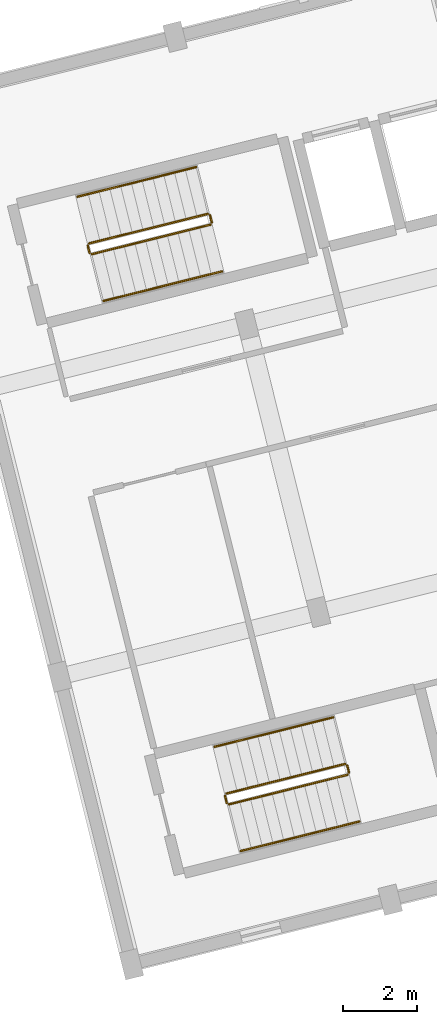
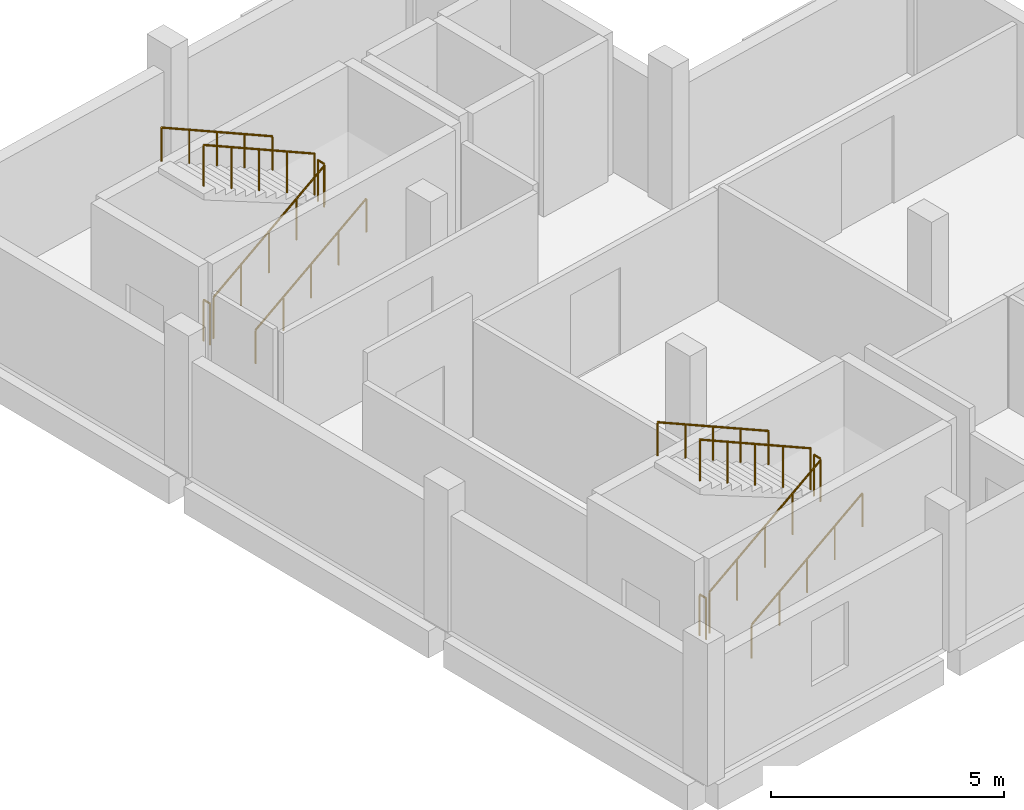
# One storey, part 8 of 8: 12 railings.
"""IFC4 building model written with IfcOpenShell, lengths in metres."""

import ifcopenshell
import ifcopenshell.guid

model = None  # the IFC model being written
_history = None  # IfcOwnerHistory: only IFC2X3 demands one
_inside = {}  # id of a spatial element -> (the spatial element, [elements in it])
_under = {}  # id of a project, library or spatial element -> (it, [spatial elements below it])
_declared = {}  # id of a project -> (the project, [libraries it declares])
_typed = {}  # id of a type object -> (the type object, [elements of that type])
_made_of = {}  # id of a material, layer set ... -> (it, [elements and type objects made of it])


def new_model(schema):
    """Start an empty IFC model of exactly this schema.

    Asked for "IFC4X3", IfcOpenShell would pick the latest addendum, in which some entities
    have other attributes; the version numbers below select the first issue.
    IFC2X3 requires an IfcOwnerHistory on every rooted entity: one is made here for all.
    """
    global model, _history
    if schema == "IFC4X3":
        model = ifcopenshell.file(schema_version=(4, 3, 0, 0))
    else:
        model = ifcopenshell.file(schema=schema)
    _inside.clear()
    _under.clear()
    _declared.clear()
    _typed.clear()
    _made_of.clear()
    _history = None
    if model.schema == "IFC2X3":
        org = make("IfcOrganization", Name="unknown")
        user = make(
            "IfcPersonAndOrganization",
            ThePerson=make("IfcPerson", FamilyName="unknown"),
            TheOrganization=org,
        )
        app = make(
            "IfcApplication",
            ApplicationDeveloper=org,
            Version="unknown",
            ApplicationFullName="unknown",
            ApplicationIdentifier="unknown",
        )
        _history = make(
            "IfcOwnerHistory",
            OwningUser=user,
            OwningApplication=app,
            ChangeAction="ADDED",
            CreationDate=0,
        )
    return model


def make(cls, **values):
    """One entity of the class cls with the attributes given. An attribute that is None is left unset."""
    return model.create_entity(
        cls, **{name: value for name, value in values.items() if value is not None}
    )


def rooted(cls, **values):
    """An entity with a GlobalId (a new one), such as an element, a storey or a relation."""
    return make(cls, GlobalId=ifcopenshell.guid.new(), OwnerHistory=_history, **values)


def si_unit(unit_type, name, prefix=None):
    """IfcSIUnit, for example si_unit("LENGTHUNIT", "METRE", prefix="MILLI")."""
    return make("IfcSIUnit", UnitType=unit_type, Prefix=prefix, Name=name)


def assignment(units):
    """IfcUnitAssignment: the units of a project."""
    return None if units is None else make("IfcUnitAssignment", Units=units)


def point(xyz):
    """IfcCartesianPoint."""
    return None if xyz is None else make("IfcCartesianPoint", Coordinates=xyz)


def direction(xyz):
    """IfcDirection."""
    return None if xyz is None else make("IfcDirection", DirectionRatios=xyz)


def frame(location, z_axis=None, x_axis=None):
    """IfcAxis2Placement3D, a coordinate frame: its origin and axes. An axis left out is left unset."""
    return make(
        "IfcAxis2Placement3D",
        Location=point(location),
        Axis=direction(z_axis),
        RefDirection=direction(x_axis),
    )


def frame_2d(location, x_axis=None):
    """IfcAxis2Placement2D, a coordinate frame in the plane: its origin and x axis."""
    return make(
        "IfcAxis2Placement2D", Location=point(location), RefDirection=direction(x_axis)
    )


def origin():
    """The frame at (0, 0, 0) with its axes left unset."""
    return frame((0.0, 0.0, 0.0))


def origin_2d():
    """The frame at (0, 0) in the plane with its x axis left unset."""
    return frame_2d((0.0, 0.0))


def place(relative_to, where):
    """IfcLocalPlacement: puts the frame where relative to a parent placement (None: the world)."""
    return make(
        "IfcLocalPlacement", PlacementRelTo=relative_to, RelativePlacement=where
    )


def context(
    kind, dimensions, precision=None, world=None, true_north=None, identifier=None
):
    """IfcGeometricRepresentationContext, for example the 3D "Model" context."""
    return make(
        "IfcGeometricRepresentationContext",
        ContextIdentifier=identifier,
        ContextType=kind,
        CoordinateSpaceDimension=dimensions,
        Precision=precision,
        WorldCoordinateSystem=world,
        TrueNorth=true_north,
    )


def subcontext(parent, identifier, kind, view, scale=None):
    """IfcGeometricRepresentationSubContext, for example "Body" below "Model"."""
    return make(
        "IfcGeometricRepresentationSubContext",
        ContextIdentifier=identifier,
        ContextType=kind,
        ParentContext=parent,
        TargetScale=scale,
        TargetView=view,
    )


def project(units=None, contexts=None):
    """IfcProject with its units and contexts."""
    return rooted(
        "IfcProject",
        Name="project",
        RepresentationContexts=contexts,
        UnitsInContext=assignment(units),
    )


def spatial(cls, under=None, at=None, **own):
    """A site, building, storey or space (cls), placed at a placement, below another one or the project."""
    s = rooted(cls, ObjectPlacement=at, **own)
    if under is not None:
        _under.setdefault(under.id(), (under, []))[1].append(s)
    return s


def profile(cls, at=None, kind="AREA", **sizes):
    """A parametric profile (cls). Its sizes go by their IFC names, for example OverallWidth=200.0."""
    return make(cls, ProfileType=kind, Position=at, **sizes)


def circle(**sizes):
    """IfcCircleProfileDef."""
    return profile("IfcCircleProfileDef", **sizes)


def extrude(swept, where, along, depth):
    """IfcExtrudedAreaSolid: the profile swept, set in the frame where, extruded along a direction by depth."""
    return make(
        "IfcExtrudedAreaSolid",
        SweptArea=swept,
        Position=where,
        ExtrudedDirection=direction(along),
        Depth=depth,
    )


def shape(context_of_items, identifier, shape_type, items):
    """IfcShapeRepresentation: the items that make up one representation, for example the "Body"."""
    return make(
        "IfcShapeRepresentation",
        ContextOfItems=context_of_items,
        RepresentationIdentifier=identifier,
        RepresentationType=shape_type,
        Items=items,
    )


def material(Name=None, Category=None):
    """IfcMaterial."""
    return make("IfcMaterial", Name=Name, Category=Category)


def made_of(thing, what):
    """Note that an element or type object is made of a material, layer set ...; save() writes the relation."""
    if what is not None:
        _made_of.setdefault(what.id(), (what, []))[1].append(thing)
    return thing


def type_object(cls, material=None, **own):
    """A type object (cls), such as IfcWallType, which elements share."""
    return made_of(rooted(cls, **own), material)


def element(
    cls,
    number,
    at=None,
    inside=None,
    cuts=None,
    type_object=None,
    material=None,
    context=None,
    identifier="Body",
    shape_type=None,
    held_by="IfcProductDefinitionShape",
    body=None,
    shapes=None,
    **own,
):
    """One element of the class cls, such as IfcWall. Its Tag is "e" and its number.

    at: its placement. inside: the storey or other place that contains it. cuts: it is an
    opening in that element (IfcRelVoidsElement). A single representation is given by context,
    identifier, shape_type and body (its items); several are given by shapes. held_by: the class
    of the entity that holds the representations. save() writes the other relations.
    """
    e = rooted(cls, Tag="e%d" % number, ObjectPlacement=at, **own)
    if body is not None:
        shapes = [shape(context, identifier, shape_type, body)]
    if shapes is not None:
        e.Representation = make(held_by, Representations=shapes)
    if inside is not None:
        _inside.setdefault(inside.id(), (inside, []))[1].append(e)
    if cuts is not None:
        rooted(
            "IfcRelVoidsElement", RelatingBuildingElement=cuts, RelatedOpeningElement=e
        )
    if type_object is not None:
        _typed.setdefault(type_object.id(), (type_object, []))[1].append(e)
    return made_of(e, material)


def aggregate(whole, parts):
    """IfcRelAggregates: a whole, such as a stair, and the parts it consists of."""
    return rooted("IfcRelAggregates", RelatingObject=whole, RelatedObjects=parts)


def save(model, path):
    """Write the relations noted so far, then the file.

    IfcRelAggregates (storeys below a building ...), IfcRelContainedInSpatialStructure (elements
    in a storey), IfcRelDefinesByType, IfcRelAssociatesMaterial and IfcRelDeclares: one each for
    every whole, place, type object, material and project.
    """
    for whole, parts in _under.values():
        aggregate(whole, parts)
    for where, things in _inside.values():
        rooted(
            "IfcRelContainedInSpatialStructure",
            RelatedElements=things,
            RelatingStructure=where,
        )
    for kind, things in _typed.values():
        rooted("IfcRelDefinesByType", RelatedObjects=things, RelatingType=kind)
    for what, things in _made_of.values():
        rooted("IfcRelAssociatesMaterial", RelatedObjects=things, RelatingMaterial=what)
    for by, libraries in _declared.values():
        rooted("IfcRelDeclares", RelatingContext=by, RelatedDefinitions=libraries)
    model.write(path)


model = new_model("IFC4")

# Units and contexts
model_context = context("Model", 3, precision=1e-05, world=origin(), true_north=direction((0.0, 1.0)))
body_context = subcontext(model_context, "Body", "Model", "MODEL_VIEW")
ifc_project = project(units=[si_unit("LENGTHUNIT", "METRE"), si_unit("AREAUNIT", "SQUARE_METRE"), si_unit("VOLUMEUNIT", "CUBIC_METRE"), si_unit("PLANEANGLEUNIT", "RADIAN"), si_unit("MASSUNIT", "GRAM", prefix="KILO")], contexts=[model_context])

# Site, building, storey
site_placement = place(None, origin())
site = spatial("IfcSite", under=ifc_project, at=site_placement, CompositionType="ELEMENT")
building_placement = place(site_placement, origin())
building = spatial("IfcBuilding", under=site, at=building_placement, Name="Mawjan Specialist Oncology Clinic", CompositionType="ELEMENT")
storey_placement = place(building_placement, frame((0.0, 0.0, 21.5)))
storey = spatial("IfcBuildingStorey", under=building, at=storey_placement, Name="L05", CompositionType="ELEMENT", Elevation=21.5)

# Railings
ifc_material_1 = material(Name="Powder-coated steel stair guard with vertical infill pickets", Category="steel")
railing_type_1 = type_object("IfcRailingType", Name="GR-110", PredefinedType="GUARDRAIL", material=ifc_material_1)
railing_1_placement = place(storey_placement, frame((124.932861328125, 19.9609375, 0.166748046875)))
element("IfcRailing", 1, at=railing_1_placement, inside=storey, type_object=railing_type_1, Name="L05 ST-05 stair guard 1", PredefinedType="GUARDRAIL", context=body_context, shape_type="SweptSolid", body=[
    extrude(circle(Radius=0.02392578125, at=origin_2d()), frame((0.0, 0.0, 1.076171875), z_axis=(0.848194742127, 0.211482791213, 0.485634336152), x_axis=(-0.24192630068, 0.970294627956, 0.0)), (0.0, 0.0, 1.0), 3.77490234375),
    extrude(circle(Radius=0.02099609375, at=origin_2d()), origin(), (0.0, 0.0, 1.0), 1.052001953125),
    extrude(circle(Radius=0.02099609375, at=origin_2d()), frame((0.800537109375, 0.19970703125, 0.458251953125)), (0.0, 0.0, 1.0), 1.052001953125),
    extrude(circle(Radius=0.02099609375, at=origin_2d()), frame((1.60107421875, 0.399169921875, 0.91650390625)), (0.0, 0.0, 1.0), 1.052001953125),
    extrude(circle(Radius=0.02099609375, at=origin_2d()), frame((2.4013671875, 0.5986328125, 1.375)), (0.0, 0.0, 1.0), 1.052001953125),
    extrude(circle(Radius=0.02099609375, at=origin_2d()), frame((3.201904296875, 0.79833984375, 1.833251953125)), (0.0, 0.0, 1.0), 1.052001953125),
])
railing_2_placement = place(storey_placement, frame((128.171142578125, 20.81982421875, 2.0)))
element("IfcRailing", 2, at=railing_2_placement, inside=storey, type_object=railing_type_1, Name="L05 ST-05 stair guard 2", PredefinedType="GUARDRAIL", context=body_context, shape_type="SweptSolid", body=[
    extrude(circle(Radius=0.02392578125, at=origin_2d()), frame((0.0, 0.0, 1.076171875), z_axis=(-0.241673946692, 0.970357513234, 0.0), x_axis=(-0.970357513234, -0.241673946692, 0.0)), (0.0, 0.0, 1.0), 0.199951171875),
    extrude(circle(Radius=0.02099609375, at=origin_2d()), origin(), (0.0, 0.0, 1.0), 1.052001953125),
    extrude(circle(Radius=0.02099609375, at=origin_2d()), frame((-0.04833984375, 0.194091796875, 0.0)), (0.0, 0.0, 1.0), 1.052001953125),
])
railing_3_placement = place(storey_placement, frame((128.062255859375, 21.050537109375, 2.166748046875)))
element("IfcRailing", 3, at=railing_3_placement, inside=storey, type_object=railing_type_1, Name="L05 ST-05 stair guard 3", PredefinedType="GUARDRAIL", context=body_context, shape_type="SweptSolid", body=[
    extrude(circle(Radius=0.02392578125, at=origin_2d()), frame((0.0, 0.0, 1.076171875), z_axis=(-0.848194742127, -0.211482791213, 0.485634336152), x_axis=(0.24192630068, -0.970294627956, 0.0)), (0.0, 0.0, 1.0), 3.77490234375),
    extrude(circle(Radius=0.02099609375, at=origin_2d()), origin(), (0.0, 0.0, 1.0), 1.052001953125),
    extrude(circle(Radius=0.02099609375, at=origin_2d()), frame((-0.800537109375, -0.19970703125, 0.458251953125)), (0.0, 0.0, 1.0), 1.052001953125),
    extrude(circle(Radius=0.02099609375, at=origin_2d()), frame((-1.60107421875, -0.399169921875, 0.91650390625)), (0.0, 0.0, 1.0), 1.052001953125),
    extrude(circle(Radius=0.02099609375, at=origin_2d()), frame((-2.4013671875, -0.5986328125, 1.375)), (0.0, 0.0, 1.0), 1.052001953125),
    extrude(circle(Radius=0.02099609375, at=origin_2d()), frame((-3.201904296875, -0.79833984375, 1.833251953125)), (0.0, 0.0, 1.0), 1.052001953125),
])
railing_4_placement = place(storey_placement, frame((124.872314453125, 19.997314453125, 0.0)))
element("IfcRailing", 4, at=railing_4_placement, inside=storey, type_object=railing_type_1, Name="L05 ST-05 stair guard 4", PredefinedType="GUARDRAIL", context=body_context, shape_type="SweptSolid", body=[
    extrude(circle(Radius=0.02392578125, at=origin_2d()), frame((0.0, 0.0, 1.076171875), z_axis=(-0.242822723755, 0.970070680326, 0.0), x_axis=(-0.970070680326, -0.242822723755, 0.0)), (0.0, 0.0, 1.0), 0.2001953125),
    extrude(circle(Radius=0.02099609375, at=origin_2d()), origin(), (0.0, 0.0, 1.0), 1.052001953125),
    extrude(circle(Radius=0.02099609375, at=origin_2d()), frame((-0.048583984375, 0.194091796875, 0.0)), (0.0, 0.0, 1.0), 1.052001953125),
])
railing_5_placement = place(storey_placement, frame((128.63427734375, 5.115478515625, 0.166748046875)))
element("IfcRailing", 5, at=railing_5_placement, inside=storey, type_object=railing_type_1, Name="L05 ST-06 stair guard 1", PredefinedType="GUARDRAIL", context=body_context, shape_type="SweptSolid", body=[
    extrude(circle(Radius=0.02392578125, at=origin_2d()), frame((0.0, 0.0, 1.076171875), z_axis=(0.848194742127, 0.211482791213, 0.485634336152), x_axis=(-0.24192630068, 0.970294627956, 0.0)), (0.0, 0.0, 1.0), 3.77490234375),
    extrude(circle(Radius=0.02099609375, at=origin_2d()), origin(), (0.0, 0.0, 1.0), 1.052001953125),
    extrude(circle(Radius=0.02099609375, at=origin_2d()), frame((0.800537109375, 0.19970703125, 0.458251953125)), (0.0, 0.0, 1.0), 1.052001953125),
    extrude(circle(Radius=0.02099609375, at=origin_2d()), frame((1.60107421875, 0.399169921875, 0.91650390625)), (0.0, 0.0, 1.0), 1.052001953125),
    extrude(circle(Radius=0.02099609375, at=origin_2d()), frame((2.4013671875, 0.5986328125, 1.375)), (0.0, 0.0, 1.0), 1.052001953125),
    extrude(circle(Radius=0.02099609375, at=origin_2d()), frame((3.201904296875, 0.79833984375, 1.833251953125)), (0.0, 0.0, 1.0), 1.052001953125),
])
railing_6_placement = place(storey_placement, frame((131.87255859375, 5.974365234375, 2.0)))
element("IfcRailing", 6, at=railing_6_placement, inside=storey, type_object=railing_type_1, Name="L05 ST-06 stair guard 2", PredefinedType="GUARDRAIL", context=body_context, shape_type="SweptSolid", body=[
    extrude(circle(Radius=0.02392578125, at=origin_2d()), frame((0.0, 0.0, 1.076171875), z_axis=(-0.241673946692, 0.970357513234, 0.0), x_axis=(-0.970357513234, -0.241673946692, 0.0)), (0.0, 0.0, 1.0), 0.199951171875),
    extrude(circle(Radius=0.02099609375, at=origin_2d()), origin(), (0.0, 0.0, 1.0), 1.052001953125),
    extrude(circle(Radius=0.02099609375, at=origin_2d()), frame((-0.04833984375, 0.194091796875, 0.0)), (0.0, 0.0, 1.0), 1.052001953125),
])
railing_7_placement = place(storey_placement, frame((131.763671875, 6.204833984375, 2.166748046875)))
element("IfcRailing", 7, at=railing_7_placement, inside=storey, type_object=railing_type_1, Name="L05 ST-06 stair guard 3", PredefinedType="GUARDRAIL", context=body_context, shape_type="SweptSolid", body=[
    extrude(circle(Radius=0.02392578125, at=origin_2d()), frame((0.0, 0.0, 1.076171875), z_axis=(-0.848194742127, -0.211482791213, 0.485634336152), x_axis=(0.24192630068, -0.970294627956, 0.0)), (0.0, 0.0, 1.0), 3.77490234375),
    extrude(circle(Radius=0.02099609375, at=origin_2d()), origin(), (0.0, 0.0, 1.0), 1.052001953125),
    extrude(circle(Radius=0.02099609375, at=origin_2d()), frame((-0.800537109375, -0.19970703125, 0.458251953125)), (0.0, 0.0, 1.0), 1.052001953125),
    extrude(circle(Radius=0.02099609375, at=origin_2d()), frame((-1.60107421875, -0.399169921875, 0.91650390625)), (0.0, 0.0, 1.0), 1.052001953125),
    extrude(circle(Radius=0.02099609375, at=origin_2d()), frame((-2.4013671875, -0.5986328125, 1.375)), (0.0, 0.0, 1.0), 1.052001953125),
    extrude(circle(Radius=0.02099609375, at=origin_2d()), frame((-3.201904296875, -0.79833984375, 1.833251953125)), (0.0, 0.0, 1.0), 1.052001953125),
])
railing_8_placement = place(storey_placement, frame((128.57373046875, 5.15185546875, 0.0)))
element("IfcRailing", 8, at=railing_8_placement, inside=storey, type_object=railing_type_1, Name="L05 ST-06 stair guard 4", PredefinedType="GUARDRAIL", context=body_context, shape_type="SweptSolid", body=[
    extrude(circle(Radius=0.02392578125, at=origin_2d()), frame((0.0, 0.0, 1.076171875), z_axis=(-0.242822723755, 0.970070680326, 0.0), x_axis=(-0.970070680326, -0.242822723755, 0.0)), (0.0, 0.0, 1.0), 0.2001953125),
    extrude(circle(Radius=0.02099609375, at=origin_2d()), origin(), (0.0, 0.0, 1.0), 1.052001953125),
    extrude(circle(Radius=0.02099609375, at=origin_2d()), frame((-0.048583984375, 0.194091796875, 0.0)), (0.0, 0.0, 1.0), 1.052001953125),
])
ifc_material_2 = material(Name="Brushed stainless-steel tubular handrail", Category="steel")
railing_type_2 = type_object("IfcRailingType", Name="HR-090", PredefinedType="HANDRAIL", material=ifc_material_2)
railing_9_placement = place(storey_placement, frame((125.247314453125, 18.69970703125, 0.166748046875)))
element("IfcRailing", 9, at=railing_9_placement, inside=storey, type_object=railing_type_2, Name="L05 ST-05 stair handrail 1", PredefinedType="HANDRAIL", context=body_context, shape_type="SweptSolid", body=[
    extrude(circle(Radius=0.02392578125, at=origin_2d()), frame((0.0, 0.0, 0.8759765625), z_axis=(0.848194742127, 0.211482791213, 0.485634336152), x_axis=(-0.24192630068, 0.970294627956, 0.0)), (0.0, 0.0, 1.0), 3.77490234375),
    extrude(circle(Radius=0.02099609375, at=origin_2d()), origin(), (0.0, 0.0, 1.0), 0.851806640625),
    extrude(circle(Radius=0.02099609375, at=origin_2d()), frame((0.800537109375, 0.19970703125, 0.458251953125)), (0.0, 0.0, 1.0), 0.851806640625),
    extrude(circle(Radius=0.02099609375, at=origin_2d()), frame((1.60107421875, 0.399169921875, 0.91650390625)), (0.0, 0.0, 1.0), 0.851806640625),
    extrude(circle(Radius=0.02099609375, at=origin_2d()), frame((2.4013671875, 0.5986328125, 1.375)), (0.0, 0.0, 1.0), 0.851806640625),
    extrude(circle(Radius=0.02099609375, at=origin_2d()), frame((3.201904296875, 0.79833984375, 1.833251953125)), (0.0, 0.0, 1.0), 0.851806640625),
])
railing_10_placement = place(storey_placement, frame((127.747802734375, 22.311767578125, 2.166748046875)))
element("IfcRailing", 10, at=railing_10_placement, inside=storey, type_object=railing_type_2, Name="L05 ST-05 stair handrail 2", PredefinedType="HANDRAIL", context=body_context, shape_type="SweptSolid", body=[
    extrude(circle(Radius=0.02392578125, at=origin_2d()), frame((0.0, 0.0, 0.8759765625), z_axis=(-0.848212885837, -0.211471190659, 0.485607697449), x_axis=(0.241908934998, -0.970298957625, 0.0)), (0.0, 0.0, 1.0), 3.775146484375),
    extrude(circle(Radius=0.02099609375, at=origin_2d()), origin(), (0.0, 0.0, 1.0), 0.851806640625),
    extrude(circle(Radius=0.02099609375, at=origin_2d()), frame((-0.800537109375, -0.19970703125, 0.458251953125)), (0.0, 0.0, 1.0), 0.851806640625),
    extrude(circle(Radius=0.02099609375, at=origin_2d()), frame((-1.60107421875, -0.399169921875, 0.91650390625)), (0.0, 0.0, 1.0), 0.851806640625),
    extrude(circle(Radius=0.02099609375, at=origin_2d()), frame((-2.401611328125, -0.5986328125, 1.375)), (0.0, 0.0, 1.0), 0.851806640625),
    extrude(circle(Radius=0.02099609375, at=origin_2d()), frame((-3.2021484375, -0.79833984375, 1.833251953125)), (0.0, 0.0, 1.0), 0.851806640625),
])
railing_11_placement = place(storey_placement, frame((128.94873046875, 3.85400390625, 0.166748046875)))
element("IfcRailing", 11, at=railing_11_placement, inside=storey, type_object=railing_type_2, Name="L05 ST-06 stair handrail 1", PredefinedType="HANDRAIL", context=body_context, shape_type="SweptSolid", body=[
    extrude(circle(Radius=0.02392578125, at=origin_2d()), frame((0.0, 0.0, 0.8759765625), z_axis=(0.848194742127, 0.211482791213, 0.485634336152), x_axis=(-0.24192630068, 0.970294627956, 0.0)), (0.0, 0.0, 1.0), 3.77490234375),
    extrude(circle(Radius=0.02099609375, at=origin_2d()), origin(), (0.0, 0.0, 1.0), 0.851806640625),
    extrude(circle(Radius=0.02099609375, at=origin_2d()), frame((0.800537109375, 0.19970703125, 0.458251953125)), (0.0, 0.0, 1.0), 0.851806640625),
    extrude(circle(Radius=0.02099609375, at=origin_2d()), frame((1.60107421875, 0.399169921875, 0.91650390625)), (0.0, 0.0, 1.0), 0.851806640625),
    extrude(circle(Radius=0.02099609375, at=origin_2d()), frame((2.4013671875, 0.5986328125, 1.375)), (0.0, 0.0, 1.0), 0.851806640625),
    extrude(circle(Radius=0.02099609375, at=origin_2d()), frame((3.201904296875, 0.79833984375, 1.833251953125)), (0.0, 0.0, 1.0), 0.851806640625),
])
railing_12_placement = place(storey_placement, frame((131.44921875, 7.46630859375, 2.166748046875)))
element("IfcRailing", 12, at=railing_12_placement, inside=storey, type_object=railing_type_2, Name="L05 ST-06 stair handrail 2", PredefinedType="HANDRAIL", context=body_context, shape_type="SweptSolid", body=[
    extrude(circle(Radius=0.02392578125, at=origin_2d()), frame((0.0, 0.0, 0.8759765625), z_axis=(-0.848212885837, -0.211471190659, 0.485607697449), x_axis=(0.241908934998, -0.970298957625, 0.0)), (0.0, 0.0, 1.0), 3.775146484375),
    extrude(circle(Radius=0.02099609375, at=origin_2d()), origin(), (0.0, 0.0, 1.0), 0.851806640625),
    extrude(circle(Radius=0.02099609375, at=origin_2d()), frame((-0.800537109375, -0.19970703125, 0.458251953125)), (0.0, 0.0, 1.0), 0.851806640625),
    extrude(circle(Radius=0.02099609375, at=origin_2d()), frame((-1.60107421875, -0.399169921875, 0.91650390625)), (0.0, 0.0, 1.0), 0.851806640625),
    extrude(circle(Radius=0.02099609375, at=origin_2d()), frame((-2.401611328125, -0.5986328125, 1.375)), (0.0, 0.0, 1.0), 0.851806640625),
    extrude(circle(Radius=0.02099609375, at=origin_2d()), frame((-3.2021484375, -0.79833984375, 1.833251953125)), (0.0, 0.0, 1.0), 0.851806640625),
])

save(model, "model.ifc")
